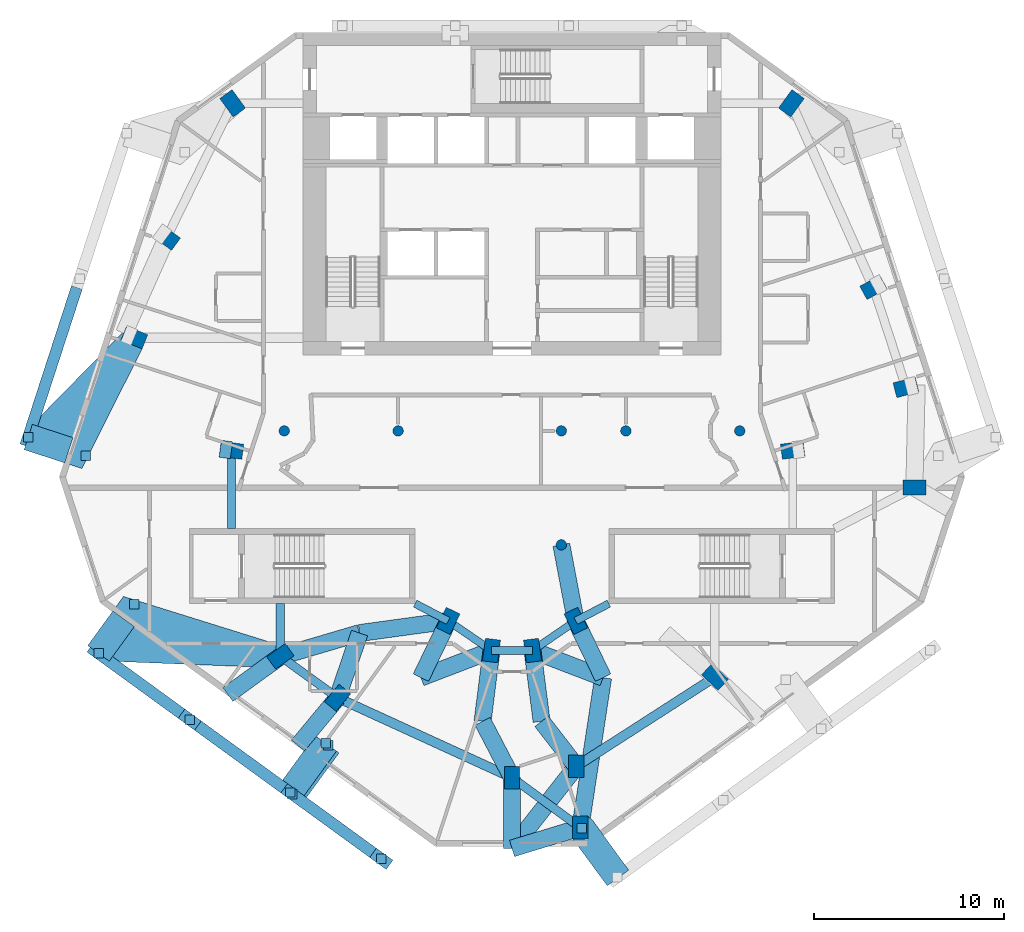
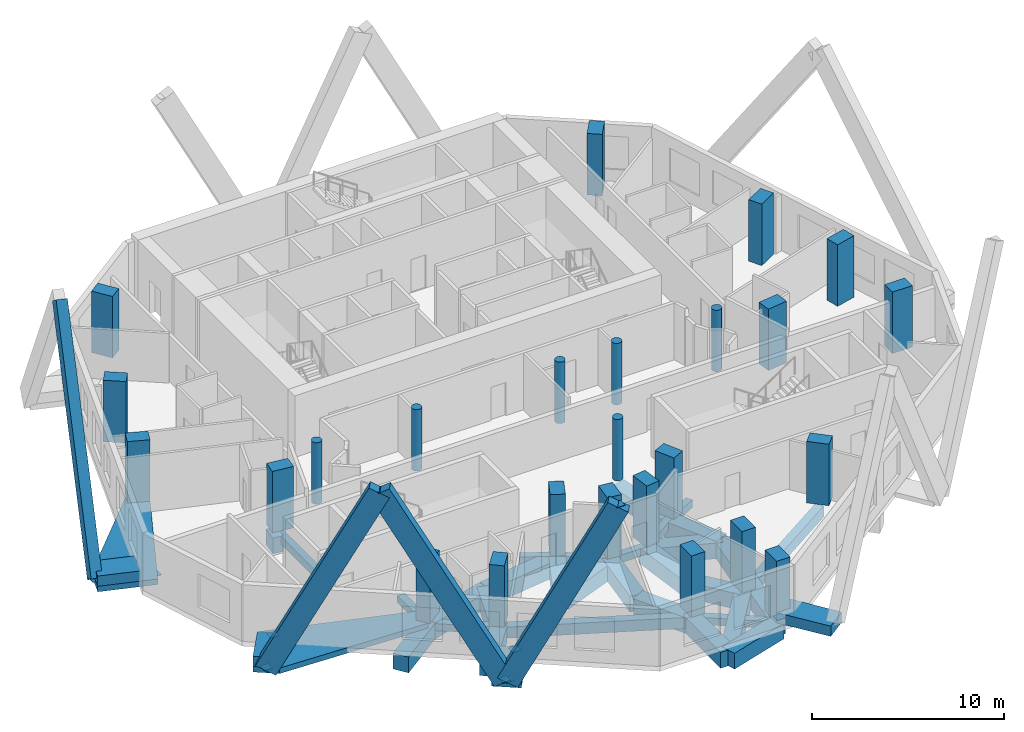
# One storey, part 1 of 10: 30 beams, 25 columns, 11 discrete accessories, 11 members.
"""IFC4 building model written with IfcOpenShell, lengths in metres."""

from ifc_helpers import new_model, si_unit, direction, frame, origin, origin_2d, place, context, subcontext, project, spatial, polyline, rectangle, circle, outline, extrude, material, layer, layer_set, material_profile, profile_set, type_object, element, aggregate, save


model = new_model("IFC4")

# Units and contexts
model_context = context("Model", 3, precision=1e-05, world=origin(), true_north=direction((0.0, 1.0)))
body_context = subcontext(model_context, "Body", "Model", "MODEL_VIEW")
ifc_project = project(units=[si_unit("LENGTHUNIT", "METRE"), si_unit("AREAUNIT", "SQUARE_METRE"), si_unit("VOLUMEUNIT", "CUBIC_METRE"), si_unit("PLANEANGLEUNIT", "RADIAN"), si_unit("MASSUNIT", "GRAM", prefix="KILO")], contexts=[model_context])

# Site, building, storey
site_placement = place(None, origin())
site = spatial("IfcSite", under=ifc_project, at=site_placement, CompositionType="ELEMENT")
building_placement = place(site_placement, origin())
building = spatial("IfcBuilding", under=site, at=building_placement, Name="White Candle Pilgrim Tower", CompositionType="ELEMENT")
storey_placement = place(building_placement, frame((0.0, 0.0, 248.300048828125)))
storey = spatial("IfcBuildingStorey", under=building, at=storey_placement, Name="L58", CompositionType="ELEMENT", Elevation=248.300048828125)

# Columns
ifc_material_1 = material(Name="Concrete C60/75", Category="concrete")
ifc_material_profile_1 = material_profile(ifc_material_1, circle(Radius=0.27490234375, at=origin_2d()), Name="RC-COL D550")
ifc_profile_set_1 = profile_set([ifc_material_profile_1], Name="Concrete C60/75")
column_type_1 = type_object("IfcColumnType", Name="Interior column RC-COL D550 C60/75", PredefinedType="COLUMN", material=ifc_profile_set_1)
for number, where, z_axis, x_axis, name in (
    (1, (58.0, 67.0, 0.0), (0.0, 0.0, 1.0), (1.0, 0.0, 0.0), "L58 column I01"),
    (2, (64.0, 67.0, 0.0), (0.0, 0.0, 1.0), (1.0, 0.0, 0.0), "L58 column I02"),
    (3, (72.60009765625, 61.0, 0.0), (0.0, 0.0, 1.0), (1.0, 0.0, 0.0), "L58 column I03"),
    (4, (72.60009765625, 67.0, 0.0), (0.0, 0.0, 1.0), (1.0, 0.0, 0.0), "L58 column I04"),
    (5, (76.0, 67.0, 0.0), (0.0, 0.0, 1.0), (1.0, 0.0, 0.0), "L58 column I05"),
    (6, (82.0, 67.0, 0.0), (0.0, 0.0, 1.0), (1.0, 0.0, 0.0), "L58 column I06"),
):
    element("IfcColumn", number, at=place(storey_placement, frame(where, z_axis=z_axis, x_axis=x_axis)), inside=storey, type_object=column_type_1, Name=name, PredefinedType="COLUMN", context=body_context, shape_type="SweptSolid", body=[
        extrude(circle(Radius=0.27490234375, at=origin_2d()), origin(), (0.0, 0.0, 1.0), 3.89990234375),
    ])
ifc_material_profile_2 = material_profile(ifc_material_1, rectangle(XDim=0.800048828125, YDim=1.199951171875, at=origin_2d()), Name="RC-PR 800x1200")
ifc_profile_set_2 = profile_set([ifc_material_profile_2], Name="Concrete C60/75")
column_type_2 = type_object("IfcColumnType", Name="Perimeter column RC-PR 800x1200 C60/75", PredefinedType="COLUMN", material=ifc_profile_set_2)
for number, where, z_axis, x_axis, name in (
    (7, (57.800048828125, 55.1201171875, 0.0), (0.0, 0.0, 1.0), (-0.58846280644, 0.808524288711, 0.0), "L58 column T01"),
    (8, (60.81005859375, 52.93994140625, 0.0), (0.0, 0.0, 1.0), (-0.769310358735, 0.638875239733, 0.0), "L58 column T02"),
    (9, (70.0, 48.72998046875, 0.0), (0.0, 0.0, 1.0), (-1.0, 0.0, 0.0), "L58 column T03"),
    (10, (73.60009765625, 46.10009765625, 0.0), (0.0, 0.0, 1.0), (-1.0, 0.0, 0.0), "L58 column T04"),
    (11, (73.389892578125, 49.330078125, 0.0), (0.0, 0.0, 1.0), (-1.0, 0.0, 0.0), "L58 column T05"),
    (12, (80.68994140625, 54.030029296875, 0.0), (0.0, 0.0, 1.0), (-0.681998360062, -0.731353701619, 0.0), "L58 column T06"),
    (13, (91.199951171875, 64.02001953125, 0.0), (0.0, 0.0, 1.0), (0.000855211229, -0.999999634307, 0.0), "L58 column T07"),
    (14, (90.760009765625, 69.2900390625, 0.0), (0.0, 0.0, 1.0), (0.246880623275, -0.969045900797, 0.0), "L58 column T08"),
    (15, (89.0400390625, 74.56005859375, 0.0), (0.0, 0.0, 1.0), (0.484809620246, -0.874619707139, 0.0), "L58 column T09"),
    (16, (84.719970703125, 84.260009765625, 0.0), (0.0, 0.0, 1.0), (0.80902725304, -0.587771132193, 0.0), "L58 column T10"),
    (17, (55.280029296875, 84.260009765625, 0.0), (0.0, 0.0, 1.0), (0.80902725304, 0.587771132193, 0.0), "L58 column T11"),
    (18, (51.81005859375, 77.18994140625, 0.0), (0.0, 0.0, 1.0), (0.587107285614, 0.809509132239, 0.0), "L58 column T12"),
    (19, (50.10009765625, 71.919921875, 0.0), (0.0, 0.0, 1.0), (0.369860269472, 0.929087391512, 0.0), "L58 column T13"),
):
    element("IfcColumn", number, at=place(storey_placement, frame(where, z_axis=z_axis, x_axis=x_axis)), inside=storey, type_object=column_type_2, Name=name, PredefinedType="COLUMN", context=body_context, shape_type="SweptSolid", body=[
        extrude(rectangle(XDim=0.800048828125, YDim=1.199951171875, at=origin_2d()), origin(), (0.0, 0.0, 1.0), 3.89990234375),
    ])
ifc_material_profile_3 = material_profile(ifc_material_1, rectangle(XDim=0.800048828125, YDim=1.199951171875, at=origin_2d()), Name="RC-PR 800x1200")
ifc_profile_set_3 = profile_set([ifc_material_profile_3], Name="Concrete C60/75")
column_type_3 = type_object("IfcColumnType", Name="Ring column RC-PR 800x1200 C60/75", PredefinedType="COLUMN", material=ifc_profile_set_3)
for number, where, z_axis, x_axis, name in (
    (20, (66.639892578125, 56.989990234375, 0.0), (0.0, 0.0, 1.0), (-0.901689191761, 0.43238478403, 0.0), "L58 column R01"),
    (21, (68.919921875, 55.429931640625, 0.0), (0.0, 0.0, 1.0), (-0.992092811428, 0.125506388335, 0.0), "L58 column R02"),
    (22, (71.080078125, 55.429931640625, 0.0), (0.0, 0.0, 1.0), (-0.992092811428, -0.125506388335, 0.0), "L58 column R03"),
    (23, (73.360107421875, 56.989990234375, 0.0), (0.0, 0.0, 1.0), (-0.901689191761, -0.43238478403, 0.0), "L58 column R04"),
    (24, (84.7900390625, 65.97998046875, 0.0), (0.0, 0.0, 1.0), (0.132602381688, -0.991169313675, 0.0), "L58 column R05"),
    (25, (55.219970703125, 65.97998046875, 0.0), (0.0, 0.0, 1.0), (0.132602381688, 0.991169313675, 0.0), "L58 column R06"),
):
    element("IfcColumn", number, at=place(storey_placement, frame(where, z_axis=z_axis, x_axis=x_axis)), inside=storey, type_object=column_type_3, Name=name, PredefinedType="COLUMN", context=body_context, shape_type="SweptSolid", body=[
        extrude(rectangle(XDim=0.800048828125, YDim=1.199951171875, at=origin_2d()), origin(), (0.0, 0.0, 1.0), 3.89990234375),
    ])

# Member
ifc_material_2 = material(Name="Concrete C60/75, white", Category="concrete")
ifc_material_profile_4 = material_profile(ifc_material_2, rectangle(XDim=0.60009765625, YDim=1.199951171875, at=origin_2d()), Name="RC-DG 600x1200")
ifc_profile_set_4 = profile_set([ifc_material_profile_4], Name="Concrete C60/75, white")
member_type_1 = type_object("IfcMemberType", Name="Exoskeleton diagonal RC-DG 600x1200 C60/75", PredefinedType="BRACE", material=ifc_profile_set_4)
member_1_placement = place(storey_placement, frame((48.214111328125, 55.280029296875, 0.0), z_axis=(0.366258049604, -0.266102241577, 0.891652756474), x_axis=(0.587785530327, 0.809016792371, 0.0)))
member_1 = element("IfcMember", 26, at=member_1_placement, inside=storey, type_object=member_type_1, Name="Exoskeleton diagonal EX273", PredefinedType="BRACE", context=body_context, shape_type="SweptSolid", body=[
    extrude(rectangle(XDim=0.60009765625, YDim=1.199951171875, at=origin_2d()), origin(), (0.0, 0.0, 1.0), 13.12158203125),
])

member_2_placement = place(storey_placement, frame((58.304443359375, 47.948974609375, 0.14990234375), z_axis=(-0.398249907264, 0.289345254869, 0.870446055106), x_axis=(-0.587784933812, -0.809017225764, 0.0)))
member_2 = element("IfcMember", 27, at=member_2_placement, inside=storey, type_object=member_type_1, Name="Exoskeleton diagonal EX274", PredefinedType="BRACE", context=body_context, shape_type="SweptSolid", body=[
    extrude(rectangle(XDim=0.60009765625, YDim=1.199951171875, at=origin_2d()), origin(), (0.0, 0.0, 1.0), 13.26904296875),
])

member_3_placement = place(storey_placement, frame((58.433837890625, 47.854736328125, 0.14990234375), z_axis=(0.362305363638, -0.263214752185, 0.894121254479), x_axis=(0.587762594552, 0.809033455702, 0.0)))
member_3 = element("IfcMember", 28, at=member_3_placement, inside=storey, type_object=member_type_1, Name="Exoskeleton diagonal EX275", PredefinedType="BRACE", context=body_context, shape_type="SweptSolid", body=[
    extrude(rectangle(XDim=0.60009765625, YDim=1.199951171875, at=origin_2d()), origin(), (0.0, 0.0, 1.0), 12.917724609375),
])

member_4_placement = place(storey_placement, frame((44.511474609375, 66.675537109375, 0.0), z_axis=(0.185370872025, 0.570504194179, 0.800101621189), x_axis=(-0.951055133428, 0.309021250372, 0.0)))
member_4 = element("IfcMember", 29, at=member_4_placement, inside=storey, type_object=member_type_1, Name="Exoskeleton diagonal EX286", PredefinedType="BRACE", context=body_context, shape_type="SweptSolid", body=[
    extrude(rectangle(XDim=0.60009765625, YDim=1.199951171875, at=origin_2d()), origin(), (0.0, 0.0, 1.0), 14.623046875),
])

ifc_material_3 = material(Name="Concrete C70/85, white", Category="concrete")
ifc_layer_1 = layer(ifc_material_3, 0.300048828125)
ifc_layer_set_1 = layer_set([ifc_layer_1], Name="Node tie strut 3200x1400x300 C70/85")
member_type_2 = type_object("IfcMemberType", Name="Node tie strut 3200x1400x300 C70/85", PredefinedType="STRUT", material=ifc_layer_set_1)
member_5_placement = place(storey_placement, frame((0.0, 0.0, -0.35009765625)))
member_5 = element("IfcMember", 30, at=member_5_placement, inside=storey, type_object=member_type_2, Name="Node tie strut NC208", PredefinedType="STRUT", context=body_context, shape_type="SweptSolid", body=[
    extrude(outline(polyline([(57.49169921875, 54.52392578125), (57.07958984375, 55.09033203125), (57.88330078125, 55.67529296875), (49.528564453125, 58.2802734375), (47.647705078125, 55.69140625), (48.780517578125, 54.868408203125), (57.49169921875, 54.52392578125)])), origin(), (0.0, 0.0, 1.0), 0.35009765625),
])

member_6_placement = place(storey_placement, origin())
element("IfcMember", 31, at=member_6_placement, inside=storey, type_object=member_type_2, Name="Node tie strut NC208", PredefinedType="STRUT", context=body_context, shape_type="SweptSolid", body=[
    extrude(outline(polyline([(48.780517578125, 54.868408203125), (50.102783203125, 56.688720703125), (48.97021484375, 57.51171875), (47.647705078125, 55.69140625), (48.780517578125, 54.868408203125)])), origin(), (0.0, 0.0, 1.0), 0.64990234375),
])

member_7_placement = place(storey_placement, frame((0.0, 0.0, -0.35009765625)))
member_7 = element("IfcMember", 32, at=member_7_placement, inside=storey, type_object=member_type_2, Name="Node tie strut NC212", PredefinedType="STRUT", context=body_context, shape_type="SweptSolid", body=[
    extrude(outline(polyline([(47.33837890625, 65.02099609375), (50.509521484375, 71.326416015625), (49.39453125, 71.770263671875), (49.609619140625, 72.31005859375), (44.727783203125, 67.34130859375), (44.295166015625, 66.009765625), (47.33837890625, 65.02099609375)])), origin(), (0.0, 0.0, 1.0), 0.35009765625),
])

member_8_placement = place(storey_placement, origin())
element("IfcMember", 33, at=member_8_placement, inside=storey, type_object=member_type_2, Name="Node tie strut NC212", PredefinedType="STRUT", context=body_context, shape_type="SweptSolid", body=[
    extrude(outline(polyline([(46.43505859375, 65.314453125), (46.86767578125, 66.64599609375), (44.727783203125, 67.34130859375), (44.295166015625, 66.009765625), (46.43505859375, 65.314453125)])), origin(), (0.0, 0.0, 1.0), 0.64990234375),
])

ifc_layer_2 = layer(ifc_material_3, 0.300048828125)
ifc_layer_set_2 = layer_set([ifc_layer_2], Name="Node tie strut 3250x1400x300 C70/85")
member_type_3 = type_object("IfcMemberType", Name="Node tie strut 3250x1400x300 C70/85", PredefinedType="STRUT", material=ifc_layer_set_2)
member_9_placement = place(storey_placement, origin())
member_9 = element("IfcMember", 34, at=member_9_placement, inside=storey, type_object=member_type_3, Name="Node tie strut NC206", PredefinedType="STRUT", context=body_context, shape_type="SweptSolid", body=[
    extrude(outline(polyline([(75.01953125, 43.03662109375), (76.15234375, 43.859619140625), (74.241943359375, 46.489013671875), (74.0, 46.699951171875), (74.0, 45.5), (73.199951171875, 45.5), (75.01953125, 43.03662109375)])), origin(), (0.0, 0.0, 1.0), 0.64990234375),
])

member_10_placement = place(storey_placement, frame((59.230224609375, 49.22314453125, -0.30029296875), z_axis=(0.0, 0.0, 1.0), x_axis=(0.809016994375, -0.587785252292, 0.0)))
member_10 = element("IfcMember", 35, at=member_10_placement, inside=storey, type_object=member_type_3, Name="Node tie strut NC209", PredefinedType="STRUT", context=body_context, shape_type="SweptSolid", body=[
    extrude(rectangle(XDim=1.39990234375, YDim=3.25, at=origin_2d()), origin(), (0.0, 0.0, 1.0), 0.300048828125),
])

member_11_placement = place(storey_placement, frame((59.359619140625, 49.12890625, -0.30029296875), z_axis=(0.0, 0.0, 1.0), x_axis=(0.809016994375, -0.587785252292, 0.0)))
member_11 = element("IfcMember", 36, at=member_11_placement, inside=storey, type_object=member_type_3, Name="Node tie strut NC210", PredefinedType="STRUT", context=body_context, shape_type="SweptSolid", body=[
    extrude(rectangle(XDim=1.39990234375, YDim=3.25, at=origin_2d()), origin(), (0.0, 0.0, 1.0), 0.300048828125),
])

# Beams
ifc_material_4 = material(Name="Concrete C50/60", Category="concrete")
ifc_material_profile_5 = material_profile(ifc_material_4, rectangle(XDim=0.39990234375, YDim=0.5, at=origin_2d()), Name="RC-BM 400x500")
ifc_profile_set_5 = profile_set([ifc_material_profile_5], Name="Concrete C50/60")
beam_type_1 = type_object("IfcBeamType", Name="Ring beam RC-BM 400x500 C50/60", PredefinedType="BEAM", material=ifc_profile_set_5)
beam_1_placement = place(storey_placement, frame((66.639892578125, 56.989990234375, -0.550048828125), z_axis=(0.825300758392, -0.564693419651, 0.0), x_axis=(0.564693419651, 0.825300758392, 0.0)))
element("IfcBeam", 37, at=beam_1_placement, inside=storey, type_object=beam_type_1, Name="L58 ring beam R01", PredefinedType="BEAM", context=body_context, shape_type="SweptSolid", body=[
    extrude(rectangle(XDim=0.39990234375, YDim=0.5, at=origin_2d()), origin(), (0.0, 0.0, 1.0), 2.7626953125),
])
beam_2_placement = place(storey_placement, frame((68.919921875, 55.429931640625, -0.550048828125), z_axis=(1.0, 0.0, 0.0), x_axis=(0.0, 1.0, 0.0)))
element("IfcBeam", 38, at=beam_2_placement, inside=storey, type_object=beam_type_1, Name="L58 ring beam R02", PredefinedType="BEAM", context=body_context, shape_type="SweptSolid", body=[
    extrude(rectangle(XDim=0.39990234375, YDim=0.5, at=origin_2d()), origin(), (0.0, 0.0, 1.0), 2.16015625),
])
beam_3_placement = place(storey_placement, frame((71.080078125, 55.429931640625, -0.550048828125), z_axis=(0.825300758392, 0.564693419651, 0.0), x_axis=(-0.564693419651, 0.825300758392, 0.0)))
element("IfcBeam", 39, at=beam_3_placement, inside=storey, type_object=beam_type_1, Name="L58 ring beam R03", PredefinedType="BEAM", context=body_context, shape_type="SweptSolid", body=[
    extrude(rectangle(XDim=0.39990234375, YDim=0.5, at=origin_2d()), origin(), (0.0, 0.0, 1.0), 2.7626953125),
])
beam_4_placement = place(storey_placement, frame((73.360107421875, 56.989990234375, -0.550048828125), z_axis=(0.88614770213, 0.463402902461, 0.0), x_axis=(-0.463402902461, 0.88614770213, 0.0)))
element("IfcBeam", 40, at=beam_4_placement, inside=storey, type_object=beam_type_1, Name="L58 ring beam R04", PredefinedType="BEAM", context=body_context, shape_type="SweptSolid", body=[
    extrude(rectangle(XDim=0.39990234375, YDim=0.5, at=origin_2d()), origin(), (0.0, 0.0, 1.0), 1.963623046875),
])
beam_5_placement = place(storey_placement, frame((55.219970703125, 65.97998046875, -0.550048828125), z_axis=(0.0, -1.0, 0.0), x_axis=(1.0, 0.0, 0.0)))
element("IfcBeam", 41, at=beam_5_placement, inside=storey, type_object=beam_type_1, Name="L58 ring beam R06", PredefinedType="BEAM", context=body_context, shape_type="SweptSolid", body=[
    extrude(rectangle(XDim=0.39990234375, YDim=0.5, at=origin_2d()), origin(), (0.0, 0.0, 1.0), 4.1298828125),
])
beam_6_placement = place(storey_placement, frame((66.639892578125, 56.989990234375, -0.550048828125), z_axis=(-0.88614770213, 0.463402902461, 0.0), x_axis=(-0.463402902461, -0.88614770213, 0.0)))
element("IfcBeam", 42, at=beam_6_placement, inside=storey, type_object=beam_type_1, Name="L58 ring beam R07", PredefinedType="BEAM", context=body_context, shape_type="SweptSolid", body=[
    extrude(rectangle(XDim=0.39990234375, YDim=0.5, at=origin_2d()), origin(), (0.0, 0.0, 1.0), 1.963623046875),
])
ifc_material_profile_6 = material_profile(ifc_material_4, rectangle(XDim=0.449951171875, YDim=0.449951171875, at=origin_2d()), Name="RC-BM 450x450")
ifc_profile_set_6 = profile_set([ifc_material_profile_6], Name="Concrete C50/60")
beam_type_2 = type_object("IfcBeamType", Name="Spandrel beam RC-BM 450x450 C50/60", PredefinedType="BEAM", material=ifc_profile_set_6)
beam_7_placement = place(storey_placement, frame((57.800048828125, 55.1201171875, -0.525146484375), z_axis=(0.80987647897, -0.586600450742, 0.0), x_axis=(0.586600450742, 0.80987647897, 0.0)))
element("IfcBeam", 43, at=beam_7_placement, inside=storey, type_object=beam_type_2, Name="L58 spandrel beam T01", PredefinedType="BEAM", context=body_context, shape_type="SweptSolid", body=[
    extrude(rectangle(XDim=0.449951171875, YDim=0.449951171875, at=origin_2d()), origin(), (0.0, 0.0, 1.0), 3.716552734375),
])
beam_8_placement = place(storey_placement, frame((70.0, 48.72998046875, -0.525146484375), z_axis=(0.807493448789, -0.589876538068, 0.0), x_axis=(0.589876538068, 0.807493448789, 0.0)))
element("IfcBeam", 44, at=beam_8_placement, inside=storey, type_object=beam_type_2, Name="L58 spandrel beam T03", PredefinedType="BEAM", context=body_context, shape_type="SweptSolid", body=[
    extrude(rectangle(XDim=0.449951171875, YDim=0.449951171875, at=origin_2d()), origin(), (0.0, 0.0, 1.0), 4.458251953125),
])
beam_9_placement = place(storey_placement, frame((57.800048828125, 55.1201171875, -0.525146484375), z_axis=(0.0, 1.0, 0.0), x_axis=(-1.0, 0.0, 0.0)))
element("IfcBeam", 45, at=beam_9_placement, inside=storey, type_object=beam_type_2, Name="L58 spandrel beam T16", PredefinedType="BEAM", context=body_context, shape_type="SweptSolid", body=[
    extrude(rectangle(XDim=0.449951171875, YDim=0.449951171875, at=origin_2d()), origin(), (0.0, 0.0, 1.0), 2.77978515625),
])
ifc_material_profile_7 = material_profile(ifc_material_4, rectangle(XDim=0.5, YDim=0.699951171875, at=origin_2d()), Name="RC-BM 500x700")
ifc_profile_set_7 = profile_set([ifc_material_profile_7], Name="Concrete C50/60")
beam_type_3 = type_object("IfcBeamType", Name="Spandrel beam RC-BM 500x700 C50/60", PredefinedType="BEAM", material=ifc_profile_set_7)
beam_10_placement = place(storey_placement, frame((60.81005859375, 52.93994140625, -0.650146484375), z_axis=(0.909143327927, -0.416483384166, 0.0), x_axis=(0.416483384166, 0.909143327927, 0.0)))
element("IfcBeam", 46, at=beam_10_placement, inside=storey, type_object=beam_type_3, Name="L58 spandrel beam T02", PredefinedType="BEAM", context=body_context, shape_type="SweptSolid", body=[
    extrude(rectangle(XDim=0.5, YDim=0.699951171875, at=origin_2d()), origin(), (0.0, 0.0, 1.0), 10.1083984375),
])
beam_11_placement = place(storey_placement, frame((73.389892578125, 49.330078125, -0.650146484375), z_axis=(0.840808255193, 0.541333056444, 0.0), x_axis=(-0.541333056444, 0.840808255193, 0.0)))
element("IfcBeam", 47, at=beam_11_placement, inside=storey, type_object=beam_type_3, Name="L58 spandrel beam T05", PredefinedType="BEAM", context=body_context, shape_type="SweptSolid", body=[
    extrude(rectangle(XDim=0.5, YDim=0.699951171875, at=origin_2d()), origin(), (0.0, 0.0, 1.0), 8.68212890625),
])
ifc_material_profile_8 = material_profile(ifc_material_4, rectangle(XDim=0.89990234375, YDim=1.0, at=origin_2d()), Name="RC-BM 900x1000")
ifc_profile_set_8 = profile_set([ifc_material_profile_8], Name="Concrete C50/60")
beam_type_4 = type_object("IfcBeamType", Name="Transfer girder RC-BM 900x1000 C50/60", PredefinedType="BEAM", material=ifc_profile_set_8)
beam_12_placement = place(storey_placement, frame((70.0, 45.0, -0.800048828125), z_axis=(0.61643634047, 0.787404748619, 0.0), x_axis=(-0.787404748619, 0.61643634047, 0.0)))
element("IfcBeam", 48, at=beam_12_placement, inside=storey, type_object=beam_type_4, Name="L58 transfer girder X01", PredefinedType="BEAM", context=body_context, shape_type="SweptSolid", body=[
    extrude(rectangle(XDim=0.89990234375, YDim=1.0, at=origin_2d()), origin(), (0.0, 0.0, 1.0), 5.499267578125),
])
beam_13_placement = place(storey_placement, frame((73.389892578125, 49.330078125, -0.800048828125), z_axis=(-0.611148087702, 0.791516275827, 0.0), x_axis=(-0.791516275827, -0.611148087702, 0.0)))
element("IfcBeam", 49, at=beam_13_placement, inside=storey, type_object=beam_type_4, Name="L58 transfer girder X02", PredefinedType="BEAM", context=body_context, shape_type="SweptSolid", body=[
    extrude(rectangle(XDim=0.89990234375, YDim=1.0, at=origin_2d()), origin(), (0.0, 0.0, 1.0), 2.994140625),
])
beam_14_placement = place(storey_placement, frame((70.0, 45.0, -0.800048828125), z_axis=(0.956346536322, 0.292235012388, 0.0), x_axis=(-0.292235012388, 0.956346536322, 0.0)))
element("IfcBeam", 50, at=beam_14_placement, inside=storey, type_object=beam_type_4, Name="L58 transfer girder X03", PredefinedType="BEAM", context=body_context, shape_type="SweptSolid", body=[
    extrude(rectangle(XDim=0.89990234375, YDim=1.0, at=origin_2d()), origin(), (0.0, 0.0, 1.0), 3.764404296875),
])
beam_15_placement = place(storey_placement, frame((73.60009765625, 46.10009765625, -0.800048828125), z_axis=(0.150171932464, 0.988659896375, 0.0), x_axis=(-0.988659896375, 0.150171932464, 0.0)))
element("IfcBeam", 51, at=beam_15_placement, inside=storey, type_object=beam_type_4, Name="L58 transfer girder X04", PredefinedType="BEAM", context=body_context, shape_type="SweptSolid", body=[
    extrude(rectangle(XDim=0.89990234375, YDim=1.0, at=origin_2d()), origin(), (0.0, 0.0, 1.0), 7.990478515625),
])
beam_16_placement = place(storey_placement, frame((71.56005859375, 51.699951171875, -0.800048828125), z_axis=(-0.127629395921, 0.991821928219, 0.0), x_axis=(-0.991821928219, -0.127629395921, 0.0)))
element("IfcBeam", 52, at=beam_16_placement, inside=storey, type_object=beam_type_4, Name="L58 transfer girder X05", PredefinedType="BEAM", context=body_context, shape_type="SweptSolid", body=[
    extrude(rectangle(XDim=0.89990234375, YDim=1.0, at=origin_2d()), origin(), (0.0, 0.0, 1.0), 3.7607421875),
])
beam_17_placement = place(storey_placement, frame((71.080078125, 55.429931640625, -0.800048828125), z_axis=(0.933415058564, -0.358798451008, 0.0), x_axis=(0.358798451008, 0.933415058564, 0.0)))
element("IfcBeam", 53, at=beam_17_placement, inside=storey, type_object=beam_type_4, Name="L58 transfer girder X06", PredefinedType="BEAM", context=body_context, shape_type="SweptSolid", body=[
    extrude(rectangle(XDim=0.89990234375, YDim=1.0, at=origin_2d()), origin(), (0.0, 0.0, 1.0), 3.9853515625),
])
beam_18_placement = place(storey_placement, frame((68.449951171875, 51.699951171875, -0.800048828125), z_axis=(0.12500977593, 0.992155509949, 0.0), x_axis=(-0.992155509949, 0.12500977593, 0.0)))
element("IfcBeam", 54, at=beam_18_placement, inside=storey, type_object=beam_type_4, Name="L58 transfer girder X07", PredefinedType="BEAM", context=body_context, shape_type="SweptSolid", body=[
    extrude(rectangle(XDim=0.89990234375, YDim=1.0, at=origin_2d()), origin(), (0.0, 0.0, 1.0), 3.759521484375),
])
beam_19_placement = place(storey_placement, frame((68.919921875, 55.429931640625, -0.800048828125), z_axis=(-0.933415058564, -0.358798451008, 0.0), x_axis=(0.358798451008, -0.933415058564, 0.0)))
element("IfcBeam", 55, at=beam_19_placement, inside=storey, type_object=beam_type_4, Name="L58 transfer girder X08", PredefinedType="BEAM", context=body_context, shape_type="SweptSolid", body=[
    extrude(rectangle(XDim=0.89990234375, YDim=1.0, at=origin_2d()), origin(), (0.0, 0.0, 1.0), 3.9853515625),
])
beam_20_placement = place(storey_placement, frame((70.0, 45.0, -0.800048828125), z_axis=(0.0, 1.0, 0.0), x_axis=(-1.0, 0.0, 0.0)))
element("IfcBeam", 56, at=beam_20_placement, inside=storey, type_object=beam_type_4, Name="L58 transfer girder X09", PredefinedType="BEAM", context=body_context, shape_type="SweptSolid", body=[
    extrude(rectangle(XDim=0.89990234375, YDim=1.0, at=origin_2d()), origin(), (0.0, 0.0, 1.0), 3.72998046875),
])
beam_21_placement = place(storey_placement, frame((70.0, 48.72998046875, -0.800048828125), z_axis=(-0.462683057375, 0.886523766415, 0.0), x_axis=(-0.886523766415, -0.462683057375, 0.0)))
element("IfcBeam", 57, at=beam_21_placement, inside=storey, type_object=beam_type_4, Name="L58 transfer girder X10", PredefinedType="BEAM", context=body_context, shape_type="SweptSolid", body=[
    extrude(rectangle(XDim=0.89990234375, YDim=1.0, at=origin_2d()), origin(), (0.0, 0.0, 1.0), 3.35009765625),
])
beam_22_placement = place(storey_placement, frame((55.030029296875, 53.110107421875, -0.800048828125), z_axis=(0.809367992851, 0.58730184075, 0.0), x_axis=(-0.58730184075, 0.809367992851, 0.0)))
element("IfcBeam", 58, at=beam_22_placement, inside=storey, type_object=beam_type_4, Name="L58 transfer girder X11", PredefinedType="BEAM", context=body_context, shape_type="SweptSolid", body=[
    extrude(rectangle(XDim=0.89990234375, YDim=1.0, at=origin_2d()), origin(), (0.0, 0.0, 1.0), 3.42236328125),
])
beam_23_placement = place(storey_placement, frame((57.800048828125, 55.1201171875, -0.800048828125), z_axis=(0.959145235725, 0.282914150912, 0.0), x_axis=(-0.282914150912, 0.959145235725, 0.0)))
element("IfcBeam", 59, at=beam_23_placement, inside=storey, type_object=beam_type_4, Name="L58 transfer girder X12", PredefinedType="BEAM", context=body_context, shape_type="SweptSolid", body=[
    extrude(rectangle(XDim=0.89990234375, YDim=1.0, at=origin_2d()), origin(), (0.0, 0.0, 1.0), 4.34765625),
])
beam_24_placement = place(storey_placement, frame((65.199951171875, 54.0, -0.800048828125), z_axis=(0.433893033644, 0.900964391835, 0.0), x_axis=(-0.900964391835, 0.433893033644, 0.0)))
element("IfcBeam", 60, at=beam_24_placement, inside=storey, type_object=beam_type_4, Name="L58 transfer girder X15", PredefinedType="BEAM", context=body_context, shape_type="SweptSolid", body=[
    extrude(rectangle(XDim=0.89990234375, YDim=1.0, at=origin_2d()), origin(), (0.0, 0.0, 1.0), 3.318603515625),
])
beam_25_placement = place(storey_placement, frame((66.639892578125, 56.989990234375, -0.800048828125), z_axis=(-0.990742338273, -0.135755733407, 0.0), x_axis=(0.135755733407, -0.990742338273, 0.0)))
element("IfcBeam", 61, at=beam_25_placement, inside=storey, type_object=beam_type_4, Name="L58 transfer girder X16", PredefinedType="BEAM", context=body_context, shape_type="SweptSolid", body=[
    extrude(rectangle(XDim=0.89990234375, YDim=1.0, at=origin_2d()), origin(), (0.0, 0.0, 1.0), 4.713623046875),
])
beam_26_placement = place(storey_placement, frame((74.800048828125, 54.0, -0.800048828125), z_axis=(-0.433893033644, 0.900964391835, 0.0), x_axis=(-0.900964391835, -0.433893033644, 0.0)))
element("IfcBeam", 62, at=beam_26_placement, inside=storey, type_object=beam_type_4, Name="L58 transfer girder X17", PredefinedType="BEAM", context=body_context, shape_type="SweptSolid", body=[
    extrude(rectangle(XDim=0.89990234375, YDim=1.0, at=origin_2d()), origin(), (0.0, 0.0, 1.0), 3.318603515625),
])
beam_27_placement = place(storey_placement, frame((73.360107421875, 56.989990234375, -0.800048828125), z_axis=(-0.186213190027, 0.982509362734, 0.0), x_axis=(-0.982509362734, -0.186213190027, 0.0)))
element("IfcBeam", 63, at=beam_27_placement, inside=storey, type_object=beam_type_4, Name="L58 transfer girder X18", PredefinedType="BEAM", context=body_context, shape_type="SweptSolid", body=[
    extrude(rectangle(XDim=0.89990234375, YDim=1.0, at=origin_2d()), origin(), (0.0, 0.0, 1.0), 4.081298828125),
])
beam_28_placement = place(storey_placement, frame((58.719970703125, 50.419921875, -0.800048828125), z_axis=(0.638392984655, 0.769710593109, 0.0), x_axis=(-0.769710593109, 0.638392984655, 0.0)))
element("IfcBeam", 64, at=beam_28_placement, inside=storey, type_object=beam_type_4, Name="L58 transfer girder X19", PredefinedType="BEAM", context=body_context, shape_type="SweptSolid", body=[
    extrude(rectangle(XDim=0.89990234375, YDim=1.0, at=origin_2d()), origin(), (0.0, 0.0, 1.0), 3.27392578125),
])
beam_29_placement = place(storey_placement, frame((60.81005859375, 52.93994140625, -0.800048828125), z_axis=(0.322016951131, 0.94673390305, 0.0), x_axis=(-0.94673390305, 0.322016951131, 0.0)))
element("IfcBeam", 65, at=beam_29_placement, inside=storey, type_object=beam_type_4, Name="L58 transfer girder X20", PredefinedType="BEAM", context=body_context, shape_type="SweptSolid", body=[
    extrude(rectangle(XDim=0.89990234375, YDim=1.0, at=origin_2d()), origin(), (0.0, 0.0, 1.0), 3.60205078125),
])
beam_30_placement = place(storey_placement, frame((54.6298828125, 66.06005859375, -0.800048828125), z_axis=(0.990917279005, -0.134472845475, 0.0), x_axis=(0.134472845475, 0.990917279005, 0.0)))
element("IfcBeam", 66, at=beam_30_placement, inside=storey, type_object=beam_type_4, Name="L58 transfer girder X25", PredefinedType="BEAM", context=body_context, shape_type="SweptSolid", body=[
    extrude(rectangle(XDim=0.89990234375, YDim=1.0, at=origin_2d()), origin(), (0.0, 0.0, 1.0), 0.595458984375),
])

# Discrete accessory
ifc_material_5 = material(Name="Steel S355", Category="steel")
ifc_layer_3 = layer(ifc_material_5, 0.02490234375)
ifc_layer_set_3 = layer_set([ifc_layer_3], Name="Gusset plate 500x500x25 S355")
discrete_accessory_type = type_object("IfcDiscreteAccessoryType", Name="Gusset plate 500x500x25 S355", PredefinedType="BRACKET", material=ifc_layer_set_3)
discrete_accessory_1_placement = place(storey_placement, frame((48.214111328125, 55.280029296875, -0.012451171875), z_axis=(0.0, 0.0, 1.0), x_axis=(1.0, 0.0, 0.0)))
discrete_accessory_1 = element("IfcDiscreteAccessory", 67, at=discrete_accessory_1_placement, type_object=discrete_accessory_type, Name="Gusset plate 0319", PredefinedType="BRACKET", context=body_context, shape_type="SweptSolid", body=[
    extrude(rectangle(XDim=0.5, YDim=0.5, at=origin_2d()), origin(), (0.0, 0.0, 1.0), 0.02490234375),
])

placement = place(building_placement, frame((0.0, 0.0, 260.0)))
discrete_accessory_2_placement = place(placement, frame((53.02001953125, 51.788330078125, -0.012451171875), z_axis=(0.0, 0.0, 1.0), x_axis=(1.0, 0.0, 0.0)))
discrete_accessory_2 = element("IfcDiscreteAccessory", 68, at=discrete_accessory_2_placement, type_object=discrete_accessory_type, Name="Gusset plate 0320", PredefinedType="BRACKET", context=body_context, shape_type="SweptSolid", body=[
    extrude(rectangle(XDim=0.5, YDim=0.5, at=origin_2d()), origin(), (0.0, 0.0, 1.0), 0.02490234375),
])

aggregate(member_1, [discrete_accessory_1, discrete_accessory_2])

discrete_accessory_3_placement = place(storey_placement, frame((58.304443359375, 47.948974609375, 0.137451171875), z_axis=(0.0, 0.0, 1.0), x_axis=(1.0, 0.0, 0.0)))
discrete_accessory_3 = element("IfcDiscreteAccessory", 69, at=discrete_accessory_3_placement, type_object=discrete_accessory_type, Name="Gusset plate 0321", PredefinedType="BRACKET", context=body_context, shape_type="SweptSolid", body=[
    extrude(rectangle(XDim=0.5, YDim=0.5, at=origin_2d()), origin(), (0.0, 0.0, 1.0), 0.02490234375),
])

aggregate(member_2, [discrete_accessory_3])

discrete_accessory_4_placement = place(storey_placement, frame((58.433837890625, 47.854736328125, 0.137451171875), z_axis=(0.0, 0.0, 1.0), x_axis=(1.0, 0.0, 0.0)))
discrete_accessory_4 = element("IfcDiscreteAccessory", 70, at=discrete_accessory_4_placement, type_object=discrete_accessory_type, Name="Gusset plate 0322", PredefinedType="BRACKET", context=body_context, shape_type="SweptSolid", body=[
    extrude(rectangle(XDim=0.5, YDim=0.5, at=origin_2d()), origin(), (0.0, 0.0, 1.0), 0.02490234375),
])

discrete_accessory_5_placement = place(placement, frame((63.114013671875, 44.45458984375, -0.012451171875), z_axis=(0.0, 0.0, 1.0), x_axis=(1.0, 0.0, 0.0)))
discrete_accessory_5 = element("IfcDiscreteAccessory", 71, at=discrete_accessory_5_placement, type_object=discrete_accessory_type, Name="Gusset plate 0323", PredefinedType="BRACKET", context=body_context, shape_type="SweptSolid", body=[
    extrude(rectangle(XDim=0.5, YDim=0.5, at=origin_2d()), origin(), (0.0, 0.0, 1.0), 0.02490234375),
])

aggregate(member_3, [discrete_accessory_4, discrete_accessory_5])

discrete_accessory_6_placement = place(storey_placement, frame((44.511474609375, 66.675537109375, -0.012451171875), z_axis=(0.0, 0.0, 1.0), x_axis=(1.0, 0.0, 0.0)))
discrete_accessory_6 = element("IfcDiscreteAccessory", 72, at=discrete_accessory_6_placement, type_object=discrete_accessory_type, Name="Gusset plate 0338", PredefinedType="BRACKET", context=body_context, shape_type="SweptSolid", body=[
    extrude(rectangle(XDim=0.5, YDim=0.5, at=origin_2d()), origin(), (0.0, 0.0, 1.0), 0.02490234375),
])

aggregate(member_4, [discrete_accessory_6])

discrete_accessory_7_placement = place(storey_placement, frame((73.675537109375, 46.077392578125, -0.16259765625), z_axis=(0.0, 0.0, 1.0), x_axis=(1.0, 0.0, 0.0)))
discrete_accessory_7 = element("IfcDiscreteAccessory", 73, at=discrete_accessory_7_placement, type_object=discrete_accessory_type, Name="Gusset plate 0587", PredefinedType="BRACKET", context=body_context, shape_type="SweptSolid", body=[
    extrude(rectangle(XDim=0.5, YDim=0.5, at=origin_2d()), origin(), (0.0, 0.0, 1.0), 0.02490234375),
])

aggregate(member_9, [discrete_accessory_7])

discrete_accessory_8_placement = place(storey_placement, frame((50.094970703125, 57.868896484375, -0.16259765625), z_axis=(0.0, 0.0, 1.0), x_axis=(1.0, 0.0, 0.0)))
discrete_accessory_8 = element("IfcDiscreteAccessory", 74, at=discrete_accessory_8_placement, type_object=discrete_accessory_type, Name="Gusset plate 0589", PredefinedType="BRACKET", context=body_context, shape_type="SweptSolid", body=[
    extrude(rectangle(XDim=0.5, YDim=0.5, at=origin_2d()), origin(), (0.0, 0.0, 1.0), 0.02490234375),
])

aggregate(member_5, [discrete_accessory_8])

discrete_accessory_9_placement = place(storey_placement, frame((60.185302734375, 50.537841796875, -0.16259765625), z_axis=(0.0, 0.0, 1.0), x_axis=(1.0, 0.0, 0.0)))
discrete_accessory_9 = element("IfcDiscreteAccessory", 75, at=discrete_accessory_9_placement, type_object=discrete_accessory_type, Name="Gusset plate 0590", PredefinedType="BRACKET", context=body_context, shape_type="SweptSolid", body=[
    extrude(rectangle(XDim=0.5, YDim=0.5, at=origin_2d()), origin(), (0.0, 0.0, 1.0), 0.02490234375),
])

aggregate(member_10, [discrete_accessory_9])

discrete_accessory_10_placement = place(storey_placement, frame((60.314697265625, 50.443603515625, -0.16259765625), z_axis=(0.0, 0.0, 1.0), x_axis=(1.0, 0.0, 0.0)))
discrete_accessory_10 = element("IfcDiscreteAccessory", 76, at=discrete_accessory_10_placement, type_object=discrete_accessory_type, Name="Gusset plate 0591", PredefinedType="BRACKET", context=body_context, shape_type="SweptSolid", body=[
    extrude(rectangle(XDim=0.5, YDim=0.5, at=origin_2d()), origin(), (0.0, 0.0, 1.0), 0.02490234375),
])

aggregate(member_11, [discrete_accessory_10])

discrete_accessory_11_placement = place(storey_placement, frame((47.5546875, 65.686767578125, -0.16259765625), z_axis=(0.0, 0.0, 1.0), x_axis=(1.0, 0.0, 0.0)))
discrete_accessory_11 = element("IfcDiscreteAccessory", 77, at=discrete_accessory_11_placement, type_object=discrete_accessory_type, Name="Gusset plate 0593", PredefinedType="BRACKET", context=body_context, shape_type="SweptSolid", body=[
    extrude(rectangle(XDim=0.5, YDim=0.5, at=origin_2d()), origin(), (0.0, 0.0, 1.0), 0.02490234375),
])

aggregate(member_7, [discrete_accessory_11])

save(model, "model.ifc")
